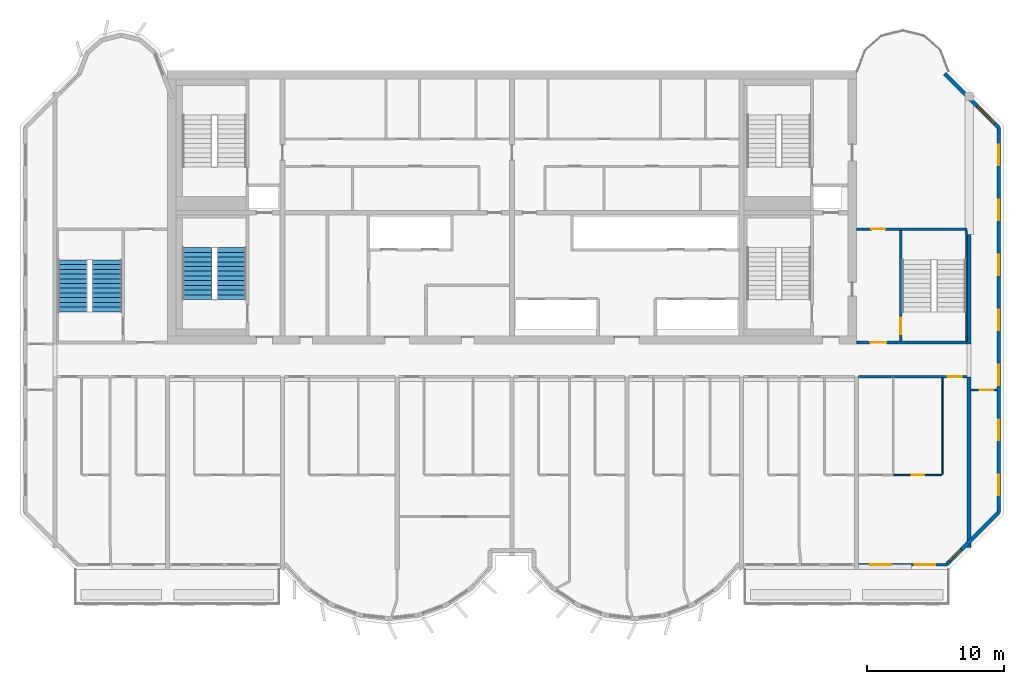
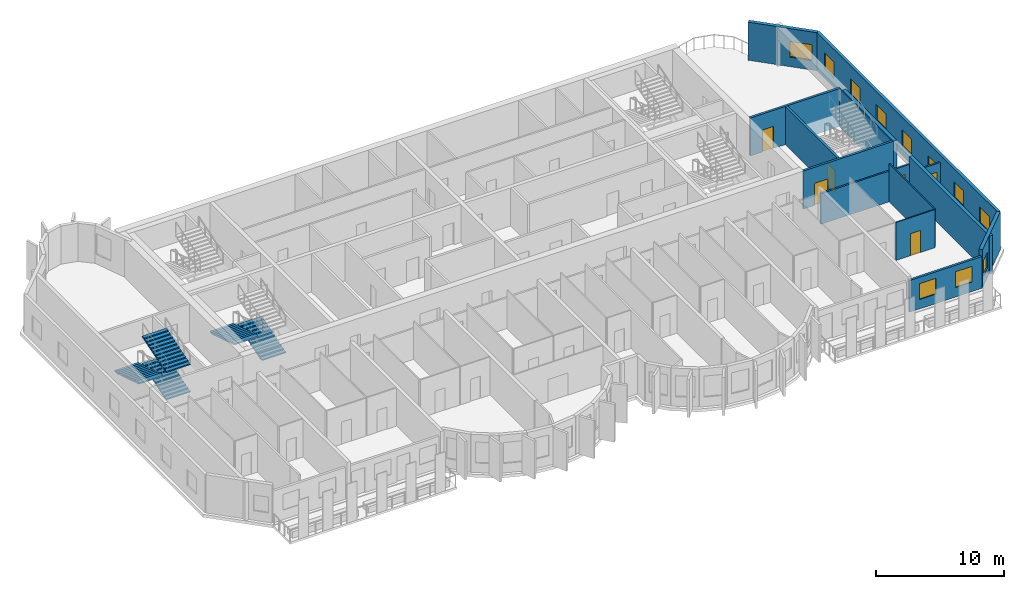
# One storey, part 8 of 12: 14 walls, 11 windows, 6 doors, 5 stair flights, 17 openings, 2 elements without a shape of their own.
"""IFC4 building model written with IfcOpenShell, lengths in metres."""

from ifc_helpers import new_model, si_unit, direction, frame, frame_2d, origin, place, context, subcontext, project, spatial, polyline, rectangle, outline, extrude, source, transform, mapped, material, layer, layer_set, type_object, element, fill, aggregate, save


model = new_model("IFC4")

# Units and contexts
model_context = context("Model", 3, precision=1e-05, world=origin(), true_north=direction((0.0, 1.0)))
body_context = subcontext(model_context, "Body", "Model", "MODEL_VIEW")
ifc_project = project(units=[si_unit("LENGTHUNIT", "METRE"), si_unit("AREAUNIT", "SQUARE_METRE"), si_unit("VOLUMEUNIT", "CUBIC_METRE"), si_unit("PLANEANGLEUNIT", "RADIAN"), si_unit("MASSUNIT", "GRAM", prefix="KILO")], contexts=[model_context])

# Site, building, storey
site_placement = place(None, origin())
site = spatial("IfcSite", under=ifc_project, at=site_placement, CompositionType="ELEMENT")
building_placement = place(site_placement, origin())
building = spatial("IfcBuilding", under=site, at=building_placement, Name="Vanashikhar Sky Hotel", CompositionType="ELEMENT")
storey_placement = place(building_placement, frame((0.0, 0.0, 221.800048828125)))
storey = spatial("IfcBuildingStorey", under=building, at=storey_placement, Name="L53", CompositionType="ELEMENT", Elevation=221.800048828125)

# Walls
ifc_material_1 = material(Name="Concrete M60", Category="concrete")
ifc_layer_1 = layer(ifc_material_1, 0.300048828125)
ifc_layer_set_1 = layer_set([ifc_layer_1], Name="RC shear wall 300 Concrete M60")
wall_type_1 = type_object("IfcWallType", Name="RC shear wall 300 Concrete M60", PredefinedType="SHEAR", material=ifc_layer_set_1)
shared_shape_1 = source(origin(), body_context, "Body", "SweptSolid", [
    extrude(rectangle(XDim=12.5, YDim=0.300048828125, at=frame_2d((6.25, 0.0))), origin(), (0.0, 0.0, 1.0), 3.619873046875),
])
wall_1_placement = place(storey_placement, frame((83.85009765625, 7.10009765625, 0.0), z_axis=(0.0, 0.0, 1.0), x_axis=(0.0, 1.0, 0.0)))
element("IfcWall", 1, at=wall_1_placement, inside=storey, type_object=wall_type_1, Name="CW-L53-XW11-1", PredefinedType="SHEAR", context=body_context, shape_type="MappedRepresentation", body=[
    mapped(shared_shape_1, transform((0.0, 0.0, 0.0), scale=1.0)),
])
shared_shape_2 = source(origin(), body_context, "Body", "SweptSolid", [
    extrude(rectangle(XDim=8.0, YDim=0.300048828125, at=frame_2d((4.0, 0.0))), origin(), (0.0, 0.0, 1.0), 3.619873046875),
])
wall_2_placement = place(storey_placement, frame((83.85009765625, 22.0, 0.0), z_axis=(0.0, 0.0, 1.0), x_axis=(0.0, 1.0, 0.0)))
element("IfcWall", 2, at=wall_2_placement, inside=storey, type_object=wall_type_1, Name="CW-L53-XW11-2", PredefinedType="SHEAR", context=body_context, shape_type="MappedRepresentation", body=[
    mapped(shared_shape_2, transform((0.0, 0.0, 0.0), scale=1.0)),
])

# Wall, openings, windows
ifc_material_2 = material(Name="Concrete M50", Category="concrete")
ifc_layer_2 = layer(ifc_material_2, 0.199951171875)
ifc_layer_set_2 = layer_set([ifc_layer_2], Name="Front window wall 200")
wall_type_2 = type_object("IfcWallType", Name="Front window wall 200", PredefinedType="SOLIDWALL", material=ifc_layer_set_2)
shared_shape_3 = source(origin(), body_context, "Body", "SweptSolid", [
    extrude(rectangle(XDim=6.5048828125, YDim=0.199951171875, at=frame_2d((3.25244140625, 0.0))), origin(), (0.0, 0.0, 1.0), 3.02001953125),
])
wall_3_placement = place(storey_placement, frame((75.75, 5.85009765625, 0.0), z_axis=(0.0, 0.0, 1.0), x_axis=(1.0, 0.0, 0.0)))
wall_3 = element("IfcWall", 3, at=wall_3_placement, inside=storey, type_object=wall_type_2, Name="Front window wall", PredefinedType="SOLIDWALL", context=body_context, shape_type="MappedRepresentation", body=[
    mapped(shared_shape_3, transform((0.0, 0.0, 0.0), scale=1.0)),
])
shared_shape_4 = source(origin(), body_context, "Body", "SweptSolid", [
    extrude(rectangle(XDim=1.5, YDim=1.5, at=frame_2d((0.75, 0.75))), frame((0.0, 0.10986328125, 0.0), z_axis=(0.0, -1.0, 0.0), x_axis=(1.0, 0.0, 0.0)), (0.0, 0.0, 1.0), 0.219970703125),
])
opening_1_placement = place(wall_3_placement, frame((0.876220703125, 0.0, 0.89990234375)))
opening_1 = element("IfcOpeningElement", 4, at=opening_1_placement, cuts=wall_3, Name="Opening WN-1", PredefinedType="OPENING", context=body_context, shape_type="MappedRepresentation", body=[
    mapped(shared_shape_4, transform((0.0, 0.0, 0.0), scale=1.0)),
])
opening_2_placement = place(wall_3_placement, frame((4.128662109375, 0.0, 0.89990234375)))
opening_2 = element("IfcOpeningElement", 5, at=opening_2_placement, cuts=wall_3, Name="Opening WN-1", PredefinedType="OPENING", context=body_context, shape_type="MappedRepresentation", body=[
    mapped(shared_shape_4, transform((0.0, 0.0, 0.0), scale=1.0)),
])
ifc_material_3 = material(Name="Glass", Category="glass")
window_type_1 = type_object("IfcWindowType", Name="Window 1500 x 1500", PartitioningType="SINGLE_PANEL", PredefinedType="WINDOW", material=ifc_material_3)
shared_shape_5 = source(origin(), body_context, "Body", "SweptSolid", [
    extrude(rectangle(XDim=1.5, YDim=1.5, at=frame_2d((0.75, 0.75))), frame((0.0, 0.030029296875, 0.0), z_axis=(0.0, -1.0, 0.0), x_axis=(1.0, 0.0, 0.0)), (0.0, 0.0, 1.0), 0.06005859375),
])
window_1_placement = place(opening_1_placement, origin())
window_1 = element("IfcWindow", 6, at=window_1_placement, inside=storey, type_object=window_type_1, Name="Window WN-1", OverallHeight=1.5, OverallWidth=1.5, PartitioningType="SINGLE_PANEL", PredefinedType="WINDOW", context=body_context, shape_type="MappedRepresentation", body=[
    mapped(shared_shape_5, transform((0.0, 0.0, 0.0), scale=1.0)),
])
fill(opening_1, window_1)
window_2_placement = place(opening_2_placement, origin())
window_2 = element("IfcWindow", 7, at=window_2_placement, inside=storey, type_object=window_type_1, Name="Window WN-1", OverallHeight=1.5, OverallWidth=1.5, PartitioningType="SINGLE_PANEL", PredefinedType="WINDOW", context=body_context, shape_type="MappedRepresentation", body=[
    mapped(shared_shape_5, transform((0.0, 0.0, 0.0), scale=1.0)),
])
fill(opening_2, window_2)

# Wall, opening, window
ifc_layer_3 = layer(ifc_material_2, 0.300048828125)
ifc_layer_set_3 = layer_set([ifc_layer_3], Name="Lobe wall 300")
wall_type_3 = type_object("IfcWallType", Name="Lobe wall 300", PredefinedType="SOLIDWALL", material=ifc_layer_set_3)
shared_shape_6 = source(origin(), body_context, "Body", "SweptSolid", [
    extrude(rectangle(XDim=5.32568359375, YDim=0.300048828125, at=frame_2d((2.662841796875, 0.0))), origin(), (0.0, 0.0, 1.0), 3.619873046875),
])
wall_4_placement = place(storey_placement, frame((82.234375, 5.89990234375, 0.0), z_axis=(0.0, 0.0, 1.0), x_axis=(0.707083859269, 0.707129702361, 0.0)))
wall_4 = element("IfcWall", 8, at=wall_4_placement, inside=storey, type_object=wall_type_3, Name="Corner wall", PredefinedType="SOLIDWALL", context=body_context, shape_type="MappedRepresentation", body=[
    mapped(shared_shape_6, transform((0.0, 0.0, 0.0), scale=1.0)),
])
shared_shape_7 = source(origin(), body_context, "Body", "SweptSolid", [
    extrude(rectangle(XDim=1.199951171875, YDim=1.5, at=frame_2d((0.60009765625, 0.75))), frame((0.0, 0.16015625, 0.0), z_axis=(0.0, -1.0, 0.0), x_axis=(1.0, 0.0, 0.0)), (0.0, 0.0, 1.0), 0.320068359375),
])
opening_3_placement = place(wall_4_placement, frame((0.29248046875, 0.0, 0.89990234375)))
opening_3 = element("IfcOpeningElement", 9, at=opening_3_placement, cuts=wall_4, Name="Opening WN-3", PredefinedType="OPENING", context=body_context, shape_type="MappedRepresentation", body=[
    mapped(shared_shape_7, transform((0.0, 0.0, 0.0), scale=1.0)),
])
window_type_2 = type_object("IfcWindowType", Name="Corridor end window 1200 x 1500", PartitioningType="SINGLE_PANEL", PredefinedType="WINDOW", material=ifc_material_3)
shared_shape_8 = source(origin(), body_context, "Body", "SweptSolid", [
    extrude(rectangle(XDim=1.199951171875, YDim=1.5, at=frame_2d((0.60009765625, 0.75))), frame((0.0, 0.030029296875, 0.0), z_axis=(0.0, -1.0, 0.0), x_axis=(1.0, 0.0, 0.0)), (0.0, 0.0, 1.0), 0.06005859375),
])
window_3_placement = place(opening_3_placement, origin())
window_3 = element("IfcWindow", 10, at=window_3_placement, inside=storey, type_object=window_type_2, Name="Window WN-3", OverallHeight=1.5, OverallWidth=1.199951171875, PartitioningType="SINGLE_PANEL", PredefinedType="WINDOW", context=body_context, shape_type="MappedRepresentation", body=[
    mapped(shared_shape_8, transform((0.0, 0.0, 0.0), scale=1.0)),
])
fill(opening_3, window_3)

shared_shape_9 = source(origin(), body_context, "Body", "SweptSolid", [
    extrude(rectangle(XDim=5.576416015625, YDim=0.300048828125, at=frame_2d((2.7880859375, 0.0))), origin(), (0.0, 0.0, 1.0), 3.619873046875),
])
wall_5_placement = place(storey_placement, frame((86.0, 37.834228515625, 0.0), z_axis=(0.0, 0.0, 1.0), x_axis=(-0.707106781187, 0.707106781187, 0.0)))
wall_5 = element("IfcWall", 11, at=wall_5_placement, inside=storey, type_object=wall_type_3, Name="Corner wall", PredefinedType="SOLIDWALL", context=body_context, shape_type="MappedRepresentation", body=[
    mapped(shared_shape_9, transform((0.0, 0.0, 0.0), scale=1.0)),
])
shared_shape_10 = source(origin(), body_context, "Body", "SweptSolid", [
    extrude(rectangle(XDim=1.800048828125, YDim=1.5, at=frame_2d((0.89990234375, 0.75))), frame((0.0, 0.16015625, 0.0), z_axis=(0.0, -1.0, 0.0), x_axis=(1.0, 0.0, 0.0)), (0.0, 0.0, 1.0), 0.320068359375),
])
opening_4_placement = place(wall_5_placement, frame((0.399169921875, 0.0, 0.89990234375)))
opening_4 = element("IfcOpeningElement", 12, at=opening_4_placement, cuts=wall_5, Name="Opening WN-4", PredefinedType="OPENING", context=body_context, shape_type="MappedRepresentation", body=[
    mapped(shared_shape_10, transform((0.0, 0.0, 0.0), scale=1.0)),
])
window_type_3 = type_object("IfcWindowType", Name="Corner window 1800 x 1500", PartitioningType="SINGLE_PANEL", PredefinedType="WINDOW", material=ifc_material_3)
shared_shape_11 = source(origin(), body_context, "Body", "SweptSolid", [
    extrude(rectangle(XDim=1.800048828125, YDim=1.5, at=frame_2d((0.89990234375, 0.75))), frame((0.0, 0.030029296875, 0.0), z_axis=(0.0, -1.0, 0.0), x_axis=(1.0, 0.0, 0.0)), (0.0, 0.0, 1.0), 0.06005859375),
])
window_4_placement = place(opening_4_placement, origin())
window_4 = element("IfcWindow", 13, at=window_4_placement, inside=storey, type_object=window_type_3, Name="Window WN-4", OverallHeight=1.5, OverallWidth=1.800048828125, PartitioningType="SINGLE_PANEL", PredefinedType="WINDOW", context=body_context, shape_type="MappedRepresentation", body=[
    mapped(shared_shape_11, transform((0.0, 0.0, 0.0), scale=1.0)),
])
fill(opening_4, window_4)

# Wall, openings, windows
ifc_layer_4 = layer(ifc_material_2, 0.25)
ifc_layer_set_4 = layer_set([ifc_layer_4], Name="Rear and end board-marked wall 250")
wall_type_4 = type_object("IfcWallType", Name="Rear and end board-marked wall 250", PredefinedType="SOLIDWALL", material=ifc_layer_set_4)
shared_shape_12 = source(origin(), body_context, "Body", "SweptSolid", [
    extrude(rectangle(XDim=28.189453125, YDim=0.25, at=frame_2d((14.0947265625, 0.0))), origin(), (0.0, 0.0, 1.0), 3.619873046875),
])
wall_6_placement = place(storey_placement, frame((86.02490234375, 9.6552734375, 0.0), z_axis=(0.0, 0.0, 1.0), x_axis=(0.0, 1.0, 0.0)))
wall_6 = element("IfcWall", 14, at=wall_6_placement, inside=storey, type_object=wall_type_4, Name="End board-marked wall", PredefinedType="SOLIDWALL", context=body_context, shape_type="MappedRepresentation", body=[
    mapped(shared_shape_12, transform((0.0, 0.0, 0.0), scale=1.0)),
])
shared_shape_13 = source(origin(), body_context, "Body", "SweptSolid", [
    extrude(rectangle(XDim=1.5, YDim=1.5, at=frame_2d((0.75, 0.75))), frame((0.0, 0.135009765625, 0.0), z_axis=(0.0, -1.0, 0.0), x_axis=(1.0, 0.0, 0.0)), (0.0, 0.0, 1.0), 0.27001953125),
])
opening_5_placement = place(wall_6_placement, frame((1.263427734375, 0.0, 0.89990234375)))
opening_5 = element("IfcOpeningElement", 15, at=opening_5_placement, cuts=wall_6, Name="Opening WN-1", PredefinedType="OPENING", context=body_context, shape_type="MappedRepresentation", body=[
    mapped(shared_shape_13, transform((0.0, 0.0, 0.0), scale=1.0)),
])
opening_6_placement = place(wall_6_placement, frame((5.29052734375, 0.0, 0.89990234375)))
opening_6 = element("IfcOpeningElement", 16, at=opening_6_placement, cuts=wall_6, Name="Opening WN-1", PredefinedType="OPENING", context=body_context, shape_type="MappedRepresentation", body=[
    mapped(shared_shape_13, transform((0.0, 0.0, 0.0), scale=1.0)),
])
opening_7_placement = place(wall_6_placement, frame((9.317626953125, 0.0, 0.89990234375)))
opening_7 = element("IfcOpeningElement", 17, at=opening_7_placement, cuts=wall_6, Name="Opening WN-1", PredefinedType="OPENING", context=body_context, shape_type="MappedRepresentation", body=[
    mapped(shared_shape_13, transform((0.0, 0.0, 0.0), scale=1.0)),
])
opening_8_placement = place(wall_6_placement, frame((13.3447265625, 0.0, 0.89990234375)))
opening_8 = element("IfcOpeningElement", 18, at=opening_8_placement, cuts=wall_6, Name="Opening WN-1", PredefinedType="OPENING", context=body_context, shape_type="MappedRepresentation", body=[
    mapped(shared_shape_13, transform((0.0, 0.0, 0.0), scale=1.0)),
])
opening_9_placement = place(wall_6_placement, frame((17.371826171875, 0.0, 0.89990234375)))
opening_9 = element("IfcOpeningElement", 19, at=opening_9_placement, cuts=wall_6, Name="Opening WN-1", PredefinedType="OPENING", context=body_context, shape_type="MappedRepresentation", body=[
    mapped(shared_shape_13, transform((0.0, 0.0, 0.0), scale=1.0)),
])
opening_10_placement = place(wall_6_placement, frame((21.398681640625, 0.0, 0.89990234375)))
opening_10 = element("IfcOpeningElement", 20, at=opening_10_placement, cuts=wall_6, Name="Opening WN-1", PredefinedType="OPENING", context=body_context, shape_type="MappedRepresentation", body=[
    mapped(shared_shape_13, transform((0.0, 0.0, 0.0), scale=1.0)),
])
opening_11_placement = place(wall_6_placement, frame((25.42578125, 0.0, 0.89990234375)))
opening_11 = element("IfcOpeningElement", 21, at=opening_11_placement, cuts=wall_6, Name="Opening WN-1", PredefinedType="OPENING", context=body_context, shape_type="MappedRepresentation", body=[
    mapped(shared_shape_13, transform((0.0, 0.0, 0.0), scale=1.0)),
])
window_5_placement = place(opening_5_placement, origin())
window_5 = element("IfcWindow", 22, at=window_5_placement, inside=storey, type_object=window_type_1, Name="Window WN-1", OverallHeight=1.5, OverallWidth=1.5, PartitioningType="SINGLE_PANEL", PredefinedType="WINDOW", context=body_context, shape_type="MappedRepresentation", body=[
    mapped(shared_shape_5, transform((0.0, 0.0, 0.0), scale=1.0)),
])
fill(opening_5, window_5)
window_6_placement = place(opening_6_placement, origin())
window_6 = element("IfcWindow", 23, at=window_6_placement, inside=storey, type_object=window_type_1, Name="Window WN-1", OverallHeight=1.5, OverallWidth=1.5, PartitioningType="SINGLE_PANEL", PredefinedType="WINDOW", context=body_context, shape_type="MappedRepresentation", body=[
    mapped(shared_shape_5, transform((0.0, 0.0, 0.0), scale=1.0)),
])
fill(opening_6, window_6)
window_7_placement = place(opening_7_placement, origin())
window_7 = element("IfcWindow", 24, at=window_7_placement, inside=storey, type_object=window_type_1, Name="Window WN-1", OverallHeight=1.5, OverallWidth=1.5, PartitioningType="SINGLE_PANEL", PredefinedType="WINDOW", context=body_context, shape_type="MappedRepresentation", body=[
    mapped(shared_shape_5, transform((0.0, 0.0, 0.0), scale=1.0)),
])
fill(opening_7, window_7)
window_8_placement = place(opening_8_placement, origin())
window_8 = element("IfcWindow", 25, at=window_8_placement, inside=storey, type_object=window_type_1, Name="Window WN-1", OverallHeight=1.5, OverallWidth=1.5, PartitioningType="SINGLE_PANEL", PredefinedType="WINDOW", context=body_context, shape_type="MappedRepresentation", body=[
    mapped(shared_shape_5, transform((0.0, 0.0, 0.0), scale=1.0)),
])
fill(opening_8, window_8)
window_9_placement = place(opening_9_placement, origin())
window_9 = element("IfcWindow", 26, at=window_9_placement, inside=storey, type_object=window_type_1, Name="Window WN-1", OverallHeight=1.5, OverallWidth=1.5, PartitioningType="SINGLE_PANEL", PredefinedType="WINDOW", context=body_context, shape_type="MappedRepresentation", body=[
    mapped(shared_shape_5, transform((0.0, 0.0, 0.0), scale=1.0)),
])
fill(opening_9, window_9)
window_10_placement = place(opening_10_placement, origin())
window_10 = element("IfcWindow", 27, at=window_10_placement, inside=storey, type_object=window_type_1, Name="Window WN-1", OverallHeight=1.5, OverallWidth=1.5, PartitioningType="SINGLE_PANEL", PredefinedType="WINDOW", context=body_context, shape_type="MappedRepresentation", body=[
    mapped(shared_shape_5, transform((0.0, 0.0, 0.0), scale=1.0)),
])
fill(opening_10, window_10)
window_11_placement = place(opening_11_placement, origin())
window_11 = element("IfcWindow", 28, at=window_11_placement, inside=storey, type_object=window_type_1, Name="Window WN-1", OverallHeight=1.5, OverallWidth=1.5, PartitioningType="SINGLE_PANEL", PredefinedType="WINDOW", context=body_context, shape_type="MappedRepresentation", body=[
    mapped(shared_shape_5, transform((0.0, 0.0, 0.0), scale=1.0)),
])
fill(opening_11, window_11)

# Wall, opening, door
ifc_layer_5 = layer(ifc_material_2, 0.199951171875)
ifc_layer_set_5 = layer_set([ifc_layer_5], Name="Stair wall 200")
wall_type_5 = type_object("IfcWallType", Name="Stair wall 200", PredefinedType="SOLIDWALL", material=ifc_layer_set_5)
shared_shape_14 = source(origin(), body_context, "Body", "SweptSolid", [
    extrude(rectangle(XDim=8.2998046875, YDim=0.199951171875, at=frame_2d((4.14990234375, 0.0))), origin(), (0.0, 0.0, 1.0), 3.619873046875),
])
wall_7_placement = place(storey_placement, frame((78.85009765625, 22.10009765625, 0.0), z_axis=(0.0, 0.0, 1.0), x_axis=(0.0, 1.0, 0.0)))
wall_7 = element("IfcWall", 29, at=wall_7_placement, inside=storey, type_object=wall_type_5, Name="Stair wall 200", PredefinedType="SOLIDWALL", context=body_context, shape_type="MappedRepresentation", body=[
    mapped(shared_shape_14, transform((0.0, 0.0, 0.0), scale=1.0)),
])
shared_shape_15 = source(origin(), body_context, "Body", "SweptSolid", [
    extrude(rectangle(XDim=1.199951171875, YDim=2.10009765625, at=frame_2d((0.60009765625, 1.050048828125))), frame((0.0, 0.10986328125, 0.0), z_axis=(0.0, -1.0, 0.0), x_axis=(1.0, 0.0, 0.0)), (0.0, 0.0, 1.0), 0.219970703125),
])
opening_12_placement = place(wall_7_placement, frame((0.60009765625, 0.0, 0.0)))
opening_12 = element("IfcOpeningElement", 30, at=opening_12_placement, cuts=wall_7, Name="Opening DC-1", PredefinedType="OPENING", context=body_context, shape_type="MappedRepresentation", body=[
    mapped(shared_shape_15, transform((0.0, 0.0, 0.0), scale=1.0)),
])
ifc_material_4 = material(Name="Steel", Category="steel")
door_type_1 = type_object("IfcDoorType", Name="Stair door 1200 FD120", OperationType="NOTDEFINED", PredefinedType="DOOR", material=ifc_material_4)
shared_shape_16 = source(origin(), body_context, "Body", "SweptSolid", [
    extrude(rectangle(XDim=1.199951171875, YDim=2.10009765625, at=frame_2d((0.60009765625, 1.050048828125))), frame((0.0, 0.02490234375, 0.0), z_axis=(0.0, -1.0, 0.0), x_axis=(1.0, 0.0, 0.0)), (0.0, 0.0, 1.0), 0.050048828125),
])
door_1_placement = place(opening_12_placement, origin())
door_1 = element("IfcDoor", 31, at=door_1_placement, inside=storey, type_object=door_type_1, Name="Stair door 1200 FD120", OperationType="SINGLE_SWING_LEFT", OverallHeight=2.10009765625, OverallWidth=1.199951171875, PredefinedType="DOOR", context=body_context, shape_type="MappedRepresentation", body=[
    mapped(shared_shape_16, transform((0.0, 0.0, 0.0), scale=1.0)),
])
fill(opening_12, door_1)

shared_shape_17 = source(origin(), body_context, "Body", "SweptSolid", [
    extrude(rectangle(XDim=8.099853515625, YDim=0.199951171875, at=frame_2d((4.0498046875, 0.0))), origin(), (0.0, 0.0, 1.0), 3.619873046875),
])
wall_8_placement = place(storey_placement, frame((83.699951171875, 22.10009765625, 0.0), z_axis=(0.0, 0.0, 1.0), x_axis=(-1.0, 0.0, 0.0)))
wall_8 = element("IfcWall", 32, at=wall_8_placement, inside=storey, type_object=wall_type_5, Name="Stair wall 200", PredefinedType="SOLIDWALL", context=body_context, shape_type="MappedRepresentation", body=[
    mapped(shared_shape_17, transform((0.0, 0.0, 0.0), scale=1.0)),
])
opening_13_placement = place(wall_8_placement, frame((5.89990234375, 0.0, 0.0)))
opening_13 = element("IfcOpeningElement", 33, at=opening_13_placement, cuts=wall_8, Name="Opening DC-2", PredefinedType="OPENING", context=body_context, shape_type="MappedRepresentation", body=[
    mapped(shared_shape_15, transform((0.0, 0.0, 0.0), scale=1.0)),
])
door_type_2 = type_object("IfcDoorType", Name="Firefighting lobby door 1200 FD120", OperationType="NOTDEFINED", PredefinedType="DOOR", material=ifc_material_4)
door_2_placement = place(opening_13_placement, origin())
door_2 = element("IfcDoor", 34, at=door_2_placement, inside=storey, type_object=door_type_2, Name="Firefighting lobby door 1200 FD120", OperationType="SINGLE_SWING_RIGHT", OverallHeight=2.10009765625, OverallWidth=1.199951171875, PredefinedType="DOOR", context=body_context, shape_type="MappedRepresentation", body=[
    mapped(shared_shape_16, transform((0.0, 0.0, 0.0), scale=1.0)),
])
fill(opening_13, door_2)

wall_9_placement = place(storey_placement, frame((83.699951171875, 30.39990234375, 0.0), z_axis=(0.0, 0.0, 1.0), x_axis=(-1.0, 0.0, 0.0)))
wall_9 = element("IfcWall", 35, at=wall_9_placement, inside=storey, type_object=wall_type_5, Name="Stair wall 200", PredefinedType="SOLIDWALL", context=body_context, shape_type="MappedRepresentation", body=[
    mapped(shared_shape_17, transform((0.0, 0.0, 0.0), scale=1.0)),
])
shared_shape_18 = source(origin(), body_context, "Body", "SweptSolid", [
    extrude(rectangle(XDim=1.0, YDim=2.10009765625, at=frame_2d((0.5, 1.050048828125))), frame((0.0, 0.10986328125, 0.0), z_axis=(0.0, -1.0, 0.0), x_axis=(1.0, 0.0, 0.0)), (0.0, 0.0, 1.0), 0.219970703125),
])
opening_14_placement = place(wall_9_placement, frame((6.0, 0.0, 0.0)))
opening_14 = element("IfcOpeningElement", 36, at=opening_14_placement, cuts=wall_9, Name="Opening DC-6", PredefinedType="OPENING", context=body_context, shape_type="MappedRepresentation", body=[
    mapped(shared_shape_18, transform((0.0, 0.0, 0.0), scale=1.0)),
])
door_type_3 = type_object("IfcDoorType", Name="Pocket door 1000 FD60", OperationType="NOTDEFINED", PredefinedType="DOOR", material=ifc_material_4)
shared_shape_19 = source(origin(), body_context, "Body", "SweptSolid", [
    extrude(rectangle(XDim=1.0, YDim=2.10009765625, at=frame_2d((0.5, 1.050048828125))), frame((0.0, 0.02490234375, 0.0), z_axis=(0.0, -1.0, 0.0), x_axis=(1.0, 0.0, 0.0)), (0.0, 0.0, 1.0), 0.050048828125),
])
door_3_placement = place(opening_14_placement, origin())
door_3 = element("IfcDoor", 37, at=door_3_placement, inside=storey, type_object=door_type_3, Name="Pocket door 1000 FD60", OperationType="SINGLE_SWING_RIGHT", OverallHeight=2.10009765625, OverallWidth=1.0, PredefinedType="DOOR", context=body_context, shape_type="MappedRepresentation", body=[
    mapped(shared_shape_19, transform((0.0, 0.0, 0.0), scale=1.0)),
])
fill(opening_14, door_3)

# Wall
ifc_layer_6 = layer(ifc_material_2, 0.10009765625)
ifc_layer_set_6 = layer_set([ifc_layer_6], Name="Stair infill wall 100")
wall_type_6 = type_object("IfcWallType", Name="Stair infill wall 100", PredefinedType="SOLIDWALL", material=ifc_layer_set_6)
shared_shape_20 = source(origin(), body_context, "Body", "SweptSolid", [
    extrude(rectangle(XDim=8.10009765625, YDim=0.10009765625, at=frame_2d((4.050048828125, 0.0))), origin(), (0.0, 0.0, 1.0), 3.619873046875),
])
wall_10_placement = place(storey_placement, frame((83.64990234375, 22.199951171875, 0.0), z_axis=(0.0, 0.0, 1.0), x_axis=(0.0, 1.0, 0.0)))
element("IfcWall", 38, at=wall_10_placement, inside=storey, type_object=wall_type_6, Name="Stair infill wall 100", PredefinedType="SOLIDWALL", context=body_context, shape_type="MappedRepresentation", body=[
    mapped(shared_shape_20, transform((0.0, 0.0, 0.0), scale=1.0)),
])

# Wall, opening, door
ifc_material_5 = material(Name="Gypsum plasterboard partition")
ifc_layer_7 = layer(ifc_material_5, 0.14990234375)
ifc_layer_set_7 = layer_set([ifc_layer_7], Name="Corridor and demising partition 150")
wall_type_7 = type_object("IfcWallType", Name="Corridor and demising partition 150", PredefinedType="PARTITIONING", material=ifc_layer_set_7)
shared_shape_21 = source(origin(), body_context, "Body", "SweptSolid", [
    extrude(rectangle(XDim=7.949951171875, YDim=0.14990234375, at=frame_2d((3.97509765625, 0.0))), origin(), (0.0, 0.0, 1.0), 2.919921875),
])
wall_11_placement = place(storey_placement, frame((75.75, 19.60009765625, 0.0), z_axis=(0.0, 0.0, 1.0), x_axis=(1.0, 0.0, 0.0)))
wall_11 = element("IfcWall", 39, at=wall_11_placement, inside=storey, type_object=wall_type_7, Name="W-L53-PW049", PredefinedType="PARTITIONING", context=body_context, shape_type="MappedRepresentation", body=[
    mapped(shared_shape_21, transform((0.0, 0.0, 0.0), scale=1.0)),
])
shared_shape_22 = source(origin(), body_context, "Body", "SweptSolid", [
    extrude(rectangle(XDim=1.0, YDim=2.10009765625, at=frame_2d((0.5, 1.050048828125))), frame((0.0, 0.0849609375, 0.0), z_axis=(0.0, -1.0, 0.0), x_axis=(1.0, 0.0, 0.0)), (0.0, 0.0, 1.0), 0.169921875),
])
opening_15_placement = place(wall_11_placement, frame((6.550048828125, 0.0, 0.0)))
opening_15 = element("IfcOpeningElement", 40, at=opening_15_placement, cuts=wall_11, Name="Opening D-01", PredefinedType="OPENING", context=body_context, shape_type="MappedRepresentation", body=[
    mapped(shared_shape_22, transform((0.0, 0.0, 0.0), scale=1.0)),
])
ifc_material_6 = material(Name="Timber fire door", Category="wood")
door_type_4 = type_object("IfcDoorType", Name="Guest entry door 1000 FD30S", OperationType="NOTDEFINED", PredefinedType="DOOR", material=ifc_material_6)
door_4_placement = place(opening_15_placement, origin())
door_4 = element("IfcDoor", 41, at=door_4_placement, inside=storey, type_object=door_type_4, Name="D-L53-029", OperationType="SINGLE_SWING_RIGHT", OverallHeight=2.10009765625, OverallWidth=1.0, PredefinedType="DOOR", context=body_context, shape_type="MappedRepresentation", body=[
    mapped(shared_shape_19, transform((0.0, 0.0, 0.0), scale=1.0)),
])
fill(opening_15, door_4)

shared_shape_23 = source(origin(), body_context, "Body", "SweptSolid", [
    extrude(rectangle(XDim=1.89990234375, YDim=0.14990234375, at=frame_2d((0.949951171875, 0.0))), origin(), (0.0, 0.0, 1.0), 2.919921875),
])
wall_12_placement = place(storey_placement, frame((84.0, 18.6279296875, 0.0), z_axis=(0.0, 0.0, 1.0), x_axis=(1.0, 0.0, 0.0)))
wall_12 = element("IfcWall", 42, at=wall_12_placement, inside=storey, type_object=wall_type_7, Name="W-L53-PW054", PredefinedType="PARTITIONING", context=body_context, shape_type="MappedRepresentation", body=[
    mapped(shared_shape_23, transform((0.0, 0.0, 0.0), scale=1.0)),
])
opening_16_placement = place(wall_12_placement, frame((0.625, 0.0, 0.0)))
opening_16 = element("IfcOpeningElement", 43, at=opening_16_placement, cuts=wall_12, Name="Opening D-01", PredefinedType="OPENING", context=body_context, shape_type="MappedRepresentation", body=[
    mapped(shared_shape_22, transform((0.0, 0.0, 0.0), scale=1.0)),
])
door_5_placement = place(opening_16_placement, origin())
door_5 = element("IfcDoor", 44, at=door_5_placement, inside=storey, type_object=door_type_4, Name="D-L53-032", OperationType="SINGLE_SWING_RIGHT", OverallHeight=2.10009765625, OverallWidth=1.0, PredefinedType="DOOR", context=body_context, shape_type="MappedRepresentation", body=[
    mapped(shared_shape_19, transform((0.0, 0.0, 0.0), scale=1.0)),
])
fill(opening_16, door_5)

# Wall
ifc_layer_8 = layer(ifc_material_5, 0.10009765625)
ifc_layer_set_8 = layer_set([ifc_layer_8], Name="Wet room partition 100")
wall_type_8 = type_object("IfcWallType", Name="Wet room partition 100", PredefinedType="PARTITIONING", material=ifc_layer_set_8)
shared_shape_24 = source(origin(), body_context, "Body", "SweptSolid", [
    extrude(rectangle(XDim=7.0498046875, YDim=0.10009765625, at=frame_2d((3.52490234375, 0.0))), origin(), (0.0, 0.0, 1.0), 3.619873046875),
])
wall_13_placement = place(storey_placement, frame((81.89990234375, 12.47509765625, 0.0), z_axis=(0.0, 0.0, 1.0), x_axis=(0.0, 1.0, 0.0)))
element("IfcWall", 45, at=wall_13_placement, inside=storey, type_object=wall_type_8, Name="W-L53-PW045", PredefinedType="PARTITIONING", context=body_context, shape_type="MappedRepresentation", body=[
    mapped(shared_shape_24, transform((0.0, 0.0, 0.0), scale=1.0)),
])

# Wall, opening, door
shared_shape_25 = source(origin(), body_context, "Body", "SweptSolid", [
    extrude(rectangle(XDim=3.5, YDim=0.10009765625, at=frame_2d((1.75, 0.0))), origin(), (0.0, 0.0, 1.0), 3.619873046875),
])
wall_14_placement = place(storey_placement, frame((78.35009765625, 12.39990234375, 0.0), z_axis=(0.0, 0.0, 1.0), x_axis=(1.0, 0.0, 0.0)))
wall_14 = element("IfcWall", 46, at=wall_14_placement, inside=storey, type_object=wall_type_8, Name="W-L53-PW047", PredefinedType="PARTITIONING", context=body_context, shape_type="MappedRepresentation", body=[
    mapped(shared_shape_25, transform((0.0, 0.0, 0.0), scale=1.0)),
])
shared_shape_26 = source(origin(), body_context, "Body", "SweptSolid", [
    extrude(rectangle(XDim=0.89990234375, YDim=2.10009765625, at=frame_2d((0.449951171875, 1.050048828125))), frame((0.0, 0.06005859375, 0.0), z_axis=(0.0, -1.0, 0.0), x_axis=(1.0, 0.0, 0.0)), (0.0, 0.0, 1.0), 0.1201171875),
])
opening_17_placement = place(wall_14_placement, frame((1.300048828125, 0.0, 0.0)))
opening_17 = element("IfcOpeningElement", 47, at=opening_17_placement, cuts=wall_14, Name="Opening D-02", PredefinedType="OPENING", context=body_context, shape_type="MappedRepresentation", body=[
    mapped(shared_shape_26, transform((0.0, 0.0, 0.0), scale=1.0)),
])
ifc_material_7 = material(Name="Timber door", Category="wood")
door_type_5 = type_object("IfcDoorType", Name="Internal door 900", OperationType="NOTDEFINED", PredefinedType="DOOR", material=ifc_material_7)
shared_shape_27 = source(origin(), body_context, "Body", "SweptSolid", [
    extrude(rectangle(XDim=0.89990234375, YDim=2.10009765625, at=frame_2d((0.449951171875, 1.050048828125))), frame((0.0, 0.02490234375, 0.0), z_axis=(0.0, -1.0, 0.0), x_axis=(1.0, 0.0, 0.0)), (0.0, 0.0, 1.0), 0.050048828125),
])
door_6_placement = place(opening_17_placement, origin())
door_6 = element("IfcDoor", 48, at=door_6_placement, inside=storey, type_object=door_type_5, Name="D-L53-027", OperationType="SINGLE_SWING_RIGHT", OverallHeight=2.10009765625, OverallWidth=0.89990234375, PredefinedType="DOOR", context=body_context, shape_type="MappedRepresentation", body=[
    mapped(shared_shape_27, transform((0.0, 0.0, 0.0), scale=1.0)),
])
fill(opening_17, door_6)

# Stair, stair flights
ifc_material_8 = material(Name="Concrete M40", Category="concrete")
stair_type = type_object("IfcStairType", Name="Exit stair 2150", PredefinedType="DOUBLE_RETURN_STAIR", material=ifc_material_8)
stair_1_placement = place(storey_placement, origin())
stair_1 = element("IfcStair", 49, at=stair_1_placement, inside=storey, type_object=stair_type, Name="L53 Exit stair 1", PredefinedType="DOUBLE_RETURN_STAIR")
stair_flight_type = type_object("IfcStairFlightType", Name="Stair flight 2150", PredefinedType="STRAIGHT", material=ifc_material_8)
shared_shape_28 = source(origin(), body_context, "Body", "SweptSolid", [
    extrude(outline(polyline([(0.0, 0.0), (0.0, 0.1083984375), (0.345458984375, 0.1083984375), (0.345458984375, 0.216552734375), (0.69091796875, 0.216552734375), (0.69091796875, 0.324951171875), (1.036376953125, 0.324951171875), (1.036376953125, 0.433349609375), (1.3818359375, 0.433349609375), (1.3818359375, 0.541748046875), (1.727294921875, 0.541748046875), (1.727294921875, 0.64990234375), (2.07275390625, 0.64990234375), (2.07275390625, 0.75830078125), (2.418212890625, 0.75830078125), (2.418212890625, 0.86669921875), (2.763671875, 0.86669921875), (2.763671875, 0.97509765625), (3.109130859375, 0.97509765625), (3.109130859375, 1.083251953125), (3.45458984375, 1.083251953125), (3.45458984375, 1.191650390625), (3.800048828125, 1.191650390625), (3.800048828125, 1.300048828125), (3.800048828125, 1.065673828125), (0.4013671875, 0.0), (0.0, 0.0)])), frame((0.0, 1.074951171875, 0.0), z_axis=(0.0, -1.0, 0.0), x_axis=(1.0, 0.0, 0.0)), (0.0, 0.0, 1.0), 2.14990234375),
])
stair_flight_1_placement = place(storey_placement, frame((29.875, 25.25, 0.0), z_axis=(0.0, 0.0, 1.0), x_axis=(0.0, 1.0, 0.0)))
stair_flight_1 = element("IfcStairFlight", 50, at=stair_flight_1_placement, type_object=stair_flight_type, Name="ST-C1 flight 1", NumberOfRisers=12, NumberOfTreads=11, PredefinedType="STRAIGHT", RiserHeight=0.108333333, TreadLength=0.345454545, context=body_context, shape_type="MappedRepresentation", body=[
    mapped(shared_shape_28, transform((0.0, 0.0, 0.0), scale=1.0)),
])
stair_flight_2_placement = place(storey_placement, frame((27.375, 29.050048828125, 1.300048828125), z_axis=(0.0, 0.0, 1.0), x_axis=(0.0, -1.0, 0.0)))
stair_flight_2 = element("IfcStairFlight", 51, at=stair_flight_2_placement, type_object=stair_flight_type, Name="ST-C1 flight 2", NumberOfRisers=12, NumberOfTreads=11, PredefinedType="STRAIGHT", RiserHeight=0.108333333, TreadLength=0.345454545, context=body_context, shape_type="MappedRepresentation", body=[
    mapped(shared_shape_28, transform((0.0, 0.0, 0.0), scale=1.0)),
])
aggregate(stair_1, [stair_flight_1, stair_flight_2])

stair_2_placement = place(storey_placement, origin())
stair_2 = element("IfcStair", 52, at=stair_2_placement, inside=storey, type_object=stair_type, Name="L53 Exit stair 3", PredefinedType="DOUBLE_RETURN_STAIR")
stair_flight_3_placement = place(storey_placement, frame((20.77490234375, 24.35009765625, 0.0), z_axis=(0.0, 0.0, 1.0), x_axis=(0.0, 1.0, 0.0)))
stair_flight_3 = element("IfcStairFlight", 53, at=stair_flight_3_placement, type_object=stair_flight_type, Name="ST-W flight 1", NumberOfRisers=12, NumberOfTreads=11, PredefinedType="STRAIGHT", RiserHeight=0.108333333, TreadLength=0.345454545, context=body_context, shape_type="MappedRepresentation", body=[
    mapped(shared_shape_28, transform((0.0, 0.0, 0.0), scale=1.0)),
])
stair_flight_4_placement = place(storey_placement, frame((18.27490234375, 28.14990234375, 1.300048828125), z_axis=(0.0, 0.0, 1.0), x_axis=(0.0, -1.0, 0.0)))
stair_flight_4 = element("IfcStairFlight", 54, at=stair_flight_4_placement, type_object=stair_flight_type, Name="ST-W flight 2", NumberOfRisers=12, NumberOfTreads=11, PredefinedType="STRAIGHT", RiserHeight=0.108333333, TreadLength=0.345454545, context=body_context, shape_type="MappedRepresentation", body=[
    mapped(shared_shape_28, transform((0.0, 0.0, 0.0), scale=1.0)),
])
stair_flight_5_placement = place(storey_placement, frame((20.77490234375, 24.35009765625, 2.599853515625), z_axis=(0.0, 0.0, 1.0), x_axis=(0.0, 1.0, 0.0)))
stair_flight_5 = element("IfcStairFlight", 55, at=stair_flight_5_placement, type_object=stair_flight_type, Name="ST-W flight 3", NumberOfRisers=12, NumberOfTreads=11, PredefinedType="STRAIGHT", RiserHeight=0.108333333, TreadLength=0.345454545, context=body_context, shape_type="MappedRepresentation", body=[
    mapped(shared_shape_28, transform((0.0, 0.0, 0.0), scale=1.0)),
])
aggregate(stair_2, [stair_flight_3, stair_flight_4, stair_flight_5])

save(model, "model.ifc")
